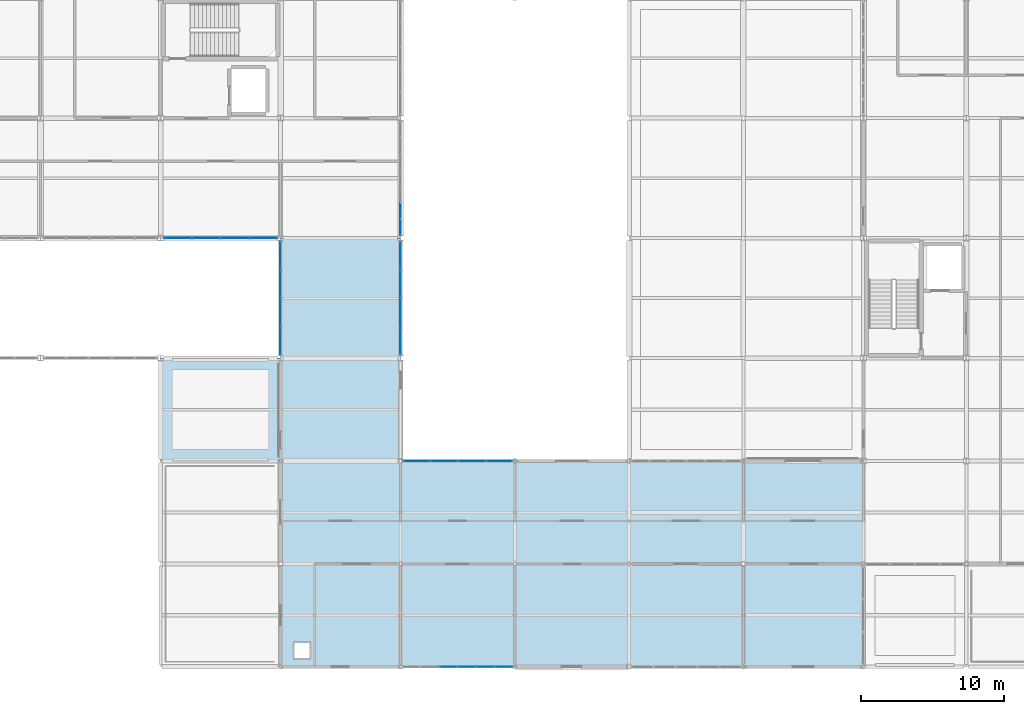
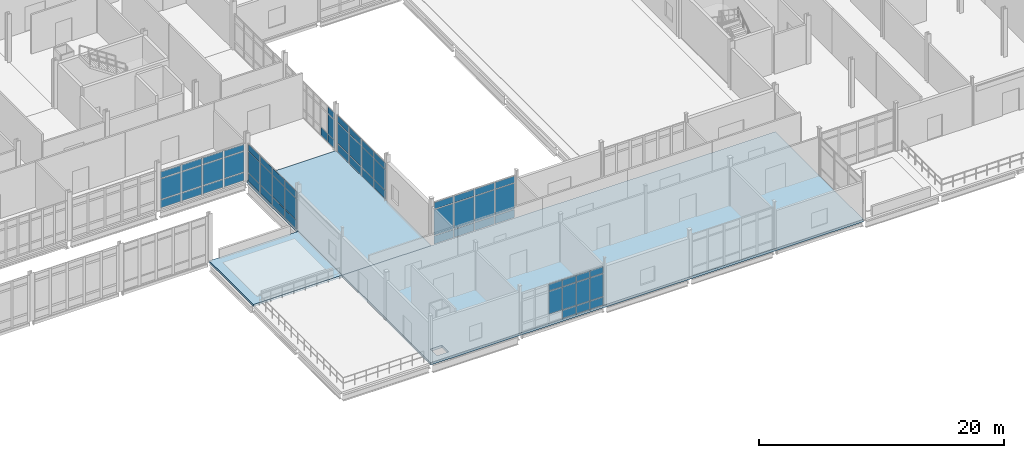
# One storey, part 123 of 186: 63 plates, 3 slabs, 6 elements without a shape of their own.
"""IFC4 building model written with IfcOpenShell, lengths in metres."""

from ifc_helpers import new_model, si_unit, direction, frame, origin, origin_2d, place, context, subcontext, project, spatial, polyline, rectangle, outline, extrude, material, layer, layer_set, type_object, element, aggregate, save


model = new_model("IFC4")

# Units and contexts
model_context = context("Model", 3, precision=1e-05, world=origin(), true_north=direction((0.0, 1.0)))
body_context = subcontext(model_context, "Body", "Model", "MODEL_VIEW")
ifc_project = project(units=[si_unit("LENGTHUNIT", "METRE"), si_unit("AREAUNIT", "SQUARE_METRE"), si_unit("VOLUMEUNIT", "CUBIC_METRE"), si_unit("PLANEANGLEUNIT", "RADIAN"), si_unit("MASSUNIT", "GRAM", prefix="KILO")], contexts=[model_context])

# Site, building, storey
site_placement = place(None, origin())
site = spatial("IfcSite", under=ifc_project, at=site_placement, CompositionType="ELEMENT")
building_placement = place(site_placement, origin())
building = spatial("IfcBuilding", under=site, at=building_placement, Name="Calvrana Isthmian Art Gallery", CompositionType="ELEMENT")
storey_placement = place(building_placement, frame((0.0, 0.0, 5.39990234375)))
storey = spatial("IfcBuildingStorey", under=building, at=storey_placement, Name="L01", CompositionType="ELEMENT", Elevation=5.39990234375)

# Curtain wall, plates
ifc_material_1 = material(Name="Anodized bronze aluminium 6063-T6", Category="aluminium")
ifc_layer_1 = layer(ifc_material_1, 0.179931640625, Name="Anodized bronze aluminium 6063-T6")
ifc_layer_set_1 = layer_set([ifc_layer_1], Name="Anodized bronze aluminium 6063-T6")
curtain_wall_type_1 = type_object("IfcCurtainWallType", Name="CW-UNIT-080X38", PredefinedType="USERDEFINED", material=ifc_layer_set_1)
curtain_wall_1_placement = place(storey_placement, origin())
curtain_wall_1 = element("IfcCurtainWall", 1, at=curtain_wall_1_placement, inside=storey, type_object=curtain_wall_type_1, Name="Curtain wall CW-130", ObjectType="UNITISED CURTAIN WALL", PredefinedType="USERDEFINED")
ifc_material_2 = material(Name="Polychrome glazed terracotta", Category="masonry")
ifc_layer_2 = layer(ifc_material_2, 0.033935546875, Name="Polychrome glazed terracotta")
ifc_layer_set_2 = layer_set([ifc_layer_2], Name="Polychrome glazed terracotta")
plate_type_1 = type_object("IfcPlateType", Name="CWP-SPANDREL-34", PredefinedType="CURTAIN_PANEL", material=ifc_layer_set_2)
plate_1_placement = place(storey_placement, frame((72.0, 22.808349609375, 0.06005859375), z_axis=(0.0, 0.0, 1.0), x_axis=(0.0, 1.0, 0.0)))
plate_1 = element("IfcPlate", 2, at=plate_1_placement, type_object=plate_type_1, Name="CW-130 panel 1.1", PredefinedType="CURTAIN_PANEL", context=body_context, shape_type="SweptSolid", body=[
    extrude(rectangle(XDim=1.893798828125, YDim=0.033935546875, at=origin_2d()), origin(), (0.0, 0.0, 1.0), 0.81005859375),
])
plate_2_placement = place(storey_placement, frame((72.0, 22.808349609375, 0.93017578125), z_axis=(0.0, 0.0, 1.0), x_axis=(0.0, 1.0, 0.0)))
plate_2 = element("IfcPlate", 3, at=plate_2_placement, type_object=plate_type_1, Name="CW-130 panel 1.2", PredefinedType="CURTAIN_PANEL", context=body_context, shape_type="SweptSolid", body=[
    extrude(rectangle(XDim=1.893798828125, YDim=0.033935546875, at=origin_2d()), origin(), (0.0, 0.0, 1.0), 2.116943359375),
])
plate_3_placement = place(storey_placement, frame((72.0, 22.808349609375, 3.10693359375), z_axis=(0.0, 0.0, 1.0), x_axis=(0.0, 1.0, 0.0)))
plate_3 = element("IfcPlate", 4, at=plate_3_placement, type_object=plate_type_1, Name="CW-130 panel 1.3", PredefinedType="CURTAIN_PANEL", context=body_context, shape_type="SweptSolid", body=[
    extrude(rectangle(XDim=1.893798828125, YDim=0.033935546875, at=origin_2d()), origin(), (0.0, 0.0, 1.0), 0.659912109375),
])
plate_4_placement = place(storey_placement, frame((72.0, 24.796142578125, 0.06005859375), z_axis=(0.0, 0.0, 1.0), x_axis=(0.0, 1.0, 0.0)))
plate_4 = element("IfcPlate", 5, at=plate_4_placement, type_object=plate_type_1, Name="CW-130 panel 2.1", PredefinedType="CURTAIN_PANEL", context=body_context, shape_type="SweptSolid", body=[
    extrude(rectangle(XDim=1.931396484375, YDim=0.033935546875, at=origin_2d()), origin(), (0.0, 0.0, 1.0), 0.81005859375),
])
plate_5_placement = place(storey_placement, frame((72.0, 24.796142578125, 0.93017578125), z_axis=(0.0, 0.0, 1.0), x_axis=(0.0, 1.0, 0.0)))
plate_5 = element("IfcPlate", 6, at=plate_5_placement, type_object=plate_type_1, Name="CW-130 panel 2.2", PredefinedType="CURTAIN_PANEL", context=body_context, shape_type="SweptSolid", body=[
    extrude(rectangle(XDim=1.931396484375, YDim=0.033935546875, at=origin_2d()), origin(), (0.0, 0.0, 1.0), 2.116943359375),
])
plate_6_placement = place(storey_placement, frame((72.0, 24.796142578125, 3.10693359375), z_axis=(0.0, 0.0, 1.0), x_axis=(0.0, 1.0, 0.0)))
plate_6 = element("IfcPlate", 7, at=plate_6_placement, type_object=plate_type_1, Name="CW-130 panel 2.3", PredefinedType="CURTAIN_PANEL", context=body_context, shape_type="SweptSolid", body=[
    extrude(rectangle(XDim=1.931396484375, YDim=0.033935546875, at=origin_2d()), origin(), (0.0, 0.0, 1.0), 0.659912109375),
])
plate_7_placement = place(storey_placement, frame((72.0, 26.802490234375, 0.06005859375), z_axis=(0.0, 0.0, 1.0), x_axis=(0.0, 1.0, 0.0)))
plate_7 = element("IfcPlate", 8, at=plate_7_placement, type_object=plate_type_1, Name="CW-130 panel 3.1", PredefinedType="CURTAIN_PANEL", context=body_context, shape_type="SweptSolid", body=[
    extrude(rectangle(XDim=1.931396484375, YDim=0.033935546875, at=origin_2d()), origin(), (0.0, 0.0, 1.0), 0.81005859375),
])
plate_8_placement = place(storey_placement, frame((72.0, 26.802490234375, 0.93017578125), z_axis=(0.0, 0.0, 1.0), x_axis=(0.0, 1.0, 0.0)))
plate_8 = element("IfcPlate", 9, at=plate_8_placement, type_object=plate_type_1, Name="CW-130 panel 3.2", PredefinedType="CURTAIN_PANEL", context=body_context, shape_type="SweptSolid", body=[
    extrude(rectangle(XDim=1.931396484375, YDim=0.033935546875, at=origin_2d()), origin(), (0.0, 0.0, 1.0), 2.116943359375),
])
plate_9_placement = place(storey_placement, frame((72.0, 26.802490234375, 3.10693359375), z_axis=(0.0, 0.0, 1.0), x_axis=(0.0, 1.0, 0.0)))
plate_9 = element("IfcPlate", 10, at=plate_9_placement, type_object=plate_type_1, Name="CW-130 panel 3.3", PredefinedType="CURTAIN_PANEL", context=body_context, shape_type="SweptSolid", body=[
    extrude(rectangle(XDim=1.931396484375, YDim=0.033935546875, at=origin_2d()), origin(), (0.0, 0.0, 1.0), 0.659912109375),
])
plate_10_placement = place(storey_placement, frame((72.0, 28.7900390625, 0.06005859375), z_axis=(0.0, 0.0, 1.0), x_axis=(0.0, 1.0, 0.0)))
plate_10 = element("IfcPlate", 11, at=plate_10_placement, type_object=plate_type_1, Name="CW-130 panel 4.1", PredefinedType="CURTAIN_PANEL", context=body_context, shape_type="SweptSolid", body=[
    extrude(rectangle(XDim=1.893798828125, YDim=0.033935546875, at=origin_2d()), origin(), (0.0, 0.0, 1.0), 0.81005859375),
])
plate_11_placement = place(storey_placement, frame((72.0, 28.7900390625, 0.93017578125), z_axis=(0.0, 0.0, 1.0), x_axis=(0.0, 1.0, 0.0)))
plate_11 = element("IfcPlate", 12, at=plate_11_placement, type_object=plate_type_1, Name="CW-130 panel 4.2", PredefinedType="CURTAIN_PANEL", context=body_context, shape_type="SweptSolid", body=[
    extrude(rectangle(XDim=1.893798828125, YDim=0.033935546875, at=origin_2d()), origin(), (0.0, 0.0, 1.0), 2.116943359375),
])
plate_12_placement = place(storey_placement, frame((72.0, 28.7900390625, 3.10693359375), z_axis=(0.0, 0.0, 1.0), x_axis=(0.0, 1.0, 0.0)))
plate_12 = element("IfcPlate", 13, at=plate_12_placement, type_object=plate_type_1, Name="CW-130 panel 4.3", PredefinedType="CURTAIN_PANEL", context=body_context, shape_type="SweptSolid", body=[
    extrude(rectangle(XDim=1.893798828125, YDim=0.033935546875, at=origin_2d()), origin(), (0.0, 0.0, 1.0), 0.659912109375),
])
aggregate(curtain_wall_1, [plate_1, plate_2, plate_3, plate_4, plate_5, plate_6, plate_7, plate_8, plate_9, plate_10, plate_11, plate_12])

ifc_layer_3 = layer(ifc_material_1, 0.179931640625, Name="Anodized bronze aluminium 6063-T6")
ifc_layer_set_3 = layer_set([ifc_layer_3], Name="Anodized bronze aluminium 6063-T6")
curtain_wall_type_2 = type_object("IfcCurtainWallType", Name="CW-UNIT-078X40", PredefinedType="USERDEFINED", material=ifc_layer_set_3)
curtain_wall_2_placement = place(storey_placement, origin())
curtain_wall_2 = element("IfcCurtainWall", 14, at=curtain_wall_2_placement, inside=storey, type_object=curtain_wall_type_2, Name="Curtain wall CW-084", ObjectType="UNITISED CURTAIN WALL", PredefinedType="USERDEFINED")
ifc_material_3 = material(Name="Low-E laminated solar glass", Category="glass")
ifc_layer_4 = layer(ifc_material_3, 0.028076171875, Name="Low-E laminated solar glass")
ifc_layer_set_4 = layer_set([ifc_layer_4], Name="Low-E laminated solar glass")
plate_type_2 = type_object("IfcPlateType", Name="CWP-VISION-28", PredefinedType="CURTAIN_PANEL", material=ifc_layer_set_4)
plate_13_placement = place(storey_placement, frame((87.6357421875, 0.0, 0.074951171875), z_axis=(0.0, 0.0, 1.0), x_axis=(-1.0, 0.0, 0.0)))
plate_13 = element("IfcPlate", 15, at=plate_13_placement, type_object=plate_type_2, Name="CW-084 panel 1.1", PredefinedType="CURTAIN_PANEL", context=body_context, shape_type="SweptSolid", body=[
    extrude(rectangle(XDim=1.205322265625, YDim=0.028076171875, at=origin_2d()), origin(), (0.0, 0.0, 1.0), 0.78759765625),
])
plate_14_placement = place(storey_placement, frame((87.6357421875, 0.0, 0.9375), z_axis=(0.0, 0.0, 1.0), x_axis=(-1.0, 0.0, 0.0)))
plate_14 = element("IfcPlate", 16, at=plate_14_placement, type_object=plate_type_2, Name="CW-084 panel 1.2", PredefinedType="CURTAIN_PANEL", context=body_context, shape_type="SweptSolid", body=[
    extrude(rectangle(XDim=1.205322265625, YDim=0.028076171875, at=origin_2d()), origin(), (0.0, 0.0, 1.0), 2.24609375),
])
plate_15_placement = place(storey_placement, frame((87.6357421875, 0.0, 3.2587890625), z_axis=(0.0, 0.0, 1.0), x_axis=(-1.0, 0.0, 0.0)))
plate_15 = element("IfcPlate", 17, at=plate_15_placement, type_object=plate_type_2, Name="CW-084 panel 1.3", PredefinedType="CURTAIN_PANEL", context=body_context, shape_type="SweptSolid", body=[
    extrude(rectangle(XDim=1.205322265625, YDim=0.028076171875, at=origin_2d()), origin(), (0.0, 0.0, 1.0), 0.637451171875),
])
plate_16_placement = place(storey_placement, frame((86.35546875, 0.0, 0.074951171875), z_axis=(0.0, 0.0, 1.0), x_axis=(-1.0, 0.0, 0.0)))
plate_16 = element("IfcPlate", 18, at=plate_16_placement, type_object=plate_type_2, Name="CW-084 panel 2.1", PredefinedType="CURTAIN_PANEL", context=body_context, shape_type="SweptSolid", body=[
    extrude(rectangle(XDim=1.2353515625, YDim=0.028076171875, at=origin_2d()), origin(), (0.0, 0.0, 1.0), 0.78759765625),
])
plate_17_placement = place(storey_placement, frame((86.35546875, 0.0, 0.9375), z_axis=(0.0, 0.0, 1.0), x_axis=(-1.0, 0.0, 0.0)))
plate_17 = element("IfcPlate", 19, at=plate_17_placement, type_object=plate_type_2, Name="CW-084 panel 2.2", PredefinedType="CURTAIN_PANEL", context=body_context, shape_type="SweptSolid", body=[
    extrude(rectangle(XDim=1.2353515625, YDim=0.028076171875, at=origin_2d()), origin(), (0.0, 0.0, 1.0), 2.24609375),
])
plate_18_placement = place(storey_placement, frame((86.35546875, 0.0, 3.2587890625), z_axis=(0.0, 0.0, 1.0), x_axis=(-1.0, 0.0, 0.0)))
plate_18 = element("IfcPlate", 20, at=plate_18_placement, type_object=plate_type_2, Name="CW-084 panel 2.3", PredefinedType="CURTAIN_PANEL", context=body_context, shape_type="SweptSolid", body=[
    extrude(rectangle(XDim=1.2353515625, YDim=0.028076171875, at=origin_2d()), origin(), (0.0, 0.0, 1.0), 0.637451171875),
])
plate_19_placement = place(storey_placement, frame((85.060302734375, 0.0, 0.074951171875), z_axis=(0.0, 0.0, 1.0), x_axis=(-1.0, 0.0, 0.0)))
plate_19 = element("IfcPlate", 21, at=plate_19_placement, type_object=plate_type_2, Name="CW-084 panel 3.1", PredefinedType="CURTAIN_PANEL", context=body_context, shape_type="SweptSolid", body=[
    extrude(rectangle(XDim=1.2353515625, YDim=0.028076171875, at=origin_2d()), origin(), (0.0, 0.0, 1.0), 0.78759765625),
])
plate_20_placement = place(storey_placement, frame((85.060302734375, 0.0, 0.9375), z_axis=(0.0, 0.0, 1.0), x_axis=(-1.0, 0.0, 0.0)))
plate_20 = element("IfcPlate", 22, at=plate_20_placement, type_object=plate_type_2, Name="CW-084 panel 3.2", PredefinedType="CURTAIN_PANEL", context=body_context, shape_type="SweptSolid", body=[
    extrude(rectangle(XDim=1.2353515625, YDim=0.028076171875, at=origin_2d()), origin(), (0.0, 0.0, 1.0), 2.24609375),
])
plate_21_placement = place(storey_placement, frame((85.060302734375, 0.0, 3.2587890625), z_axis=(0.0, 0.0, 1.0), x_axis=(-1.0, 0.0, 0.0)))
plate_21 = element("IfcPlate", 23, at=plate_21_placement, type_object=plate_type_2, Name="CW-084 panel 3.3", PredefinedType="CURTAIN_PANEL", context=body_context, shape_type="SweptSolid", body=[
    extrude(rectangle(XDim=1.2353515625, YDim=0.028076171875, at=origin_2d()), origin(), (0.0, 0.0, 1.0), 0.637451171875),
])
plate_22_placement = place(storey_placement, frame((83.76513671875, 0.0, 0.9375), z_axis=(0.0, 0.0, 1.0), x_axis=(-1.0, 0.0, 0.0)))
plate_22 = element("IfcPlate", 24, at=plate_22_placement, type_object=plate_type_2, Name="CW-084 panel 4.2", PredefinedType="CURTAIN_PANEL", context=body_context, shape_type="SweptSolid", body=[
    extrude(rectangle(XDim=1.2353515625, YDim=0.028076171875, at=origin_2d()), origin(), (0.0, 0.0, 1.0), 2.24609375),
])
plate_23_placement = place(storey_placement, frame((83.76513671875, 0.0, 3.2587890625), z_axis=(0.0, 0.0, 1.0), x_axis=(-1.0, 0.0, 0.0)))
plate_23 = element("IfcPlate", 25, at=plate_23_placement, type_object=plate_type_2, Name="CW-084 panel 4.3", PredefinedType="CURTAIN_PANEL", context=body_context, shape_type="SweptSolid", body=[
    extrude(rectangle(XDim=1.2353515625, YDim=0.028076171875, at=origin_2d()), origin(), (0.0, 0.0, 1.0), 0.637451171875),
])
aggregate(curtain_wall_2, [plate_13, plate_14, plate_15, plate_16, plate_17, plate_18, plate_19, plate_20, plate_21, plate_22, plate_23])

ifc_layer_5 = layer(ifc_material_1, 0.179931640625, Name="Anodized bronze aluminium 6063-T6")
ifc_layer_set_5 = layer_set([ifc_layer_5], Name="Anodized bronze aluminium 6063-T6")
curtain_wall_type_3 = type_object("IfcCurtainWallType", Name="CW-UNIT-077X43", PredefinedType="USERDEFINED", material=ifc_layer_set_5)
curtain_wall_3_placement = place(storey_placement, origin())
curtain_wall_3 = element("IfcCurtainWall", 26, at=curtain_wall_3_placement, inside=storey, type_object=curtain_wall_type_3, Name="Curtain wall CW-087", ObjectType="UNITISED CURTAIN WALL", PredefinedType="USERDEFINED")
plate_24_placement = place(storey_placement, frame((81.5380859375, 14.39990234375, 0.06494140625), z_axis=(0.0, 0.0, 1.0), x_axis=(1.0, 0.0, 0.0)))
plate_24 = element("IfcPlate", 27, at=plate_24_placement, type_object=plate_type_2, Name="CW-087 panel 1.1", PredefinedType="CURTAIN_PANEL", context=body_context, shape_type="SweptSolid", body=[
    extrude(rectangle(XDim=1.83154296875, YDim=0.028076171875, at=origin_2d()), origin(), (0.0, 0.0, 1.0), 0.802490234375),
])
plate_25_placement = place(storey_placement, frame((81.5380859375, 14.39990234375, 0.9326171875), z_axis=(0.0, 0.0, 1.0), x_axis=(1.0, 0.0, 0.0)))
plate_25 = element("IfcPlate", 28, at=plate_25_placement, type_object=plate_type_2, Name="CW-087 panel 1.2", PredefinedType="CURTAIN_PANEL", context=body_context, shape_type="SweptSolid", body=[
    extrude(rectangle(XDim=1.83154296875, YDim=0.028076171875, at=origin_2d()), origin(), (0.0, 0.0, 1.0), 2.551025390625),
])
plate_26_placement = place(storey_placement, frame((81.5380859375, 14.39990234375, 3.54833984375), z_axis=(0.0, 0.0, 1.0), x_axis=(1.0, 0.0, 0.0)))
plate_26 = element("IfcPlate", 29, at=plate_26_placement, type_object=plate_type_2, Name="CW-087 panel 1.3", PredefinedType="CURTAIN_PANEL", context=body_context, shape_type="SweptSolid", body=[
    extrude(rectangle(XDim=1.83154296875, YDim=0.028076171875, at=origin_2d()), origin(), (0.0, 0.0, 1.0), 0.652587890625),
])
plate_27_placement = place(storey_placement, frame((83.45703125, 14.39990234375, 0.06494140625), z_axis=(0.0, 0.0, 1.0), x_axis=(1.0, 0.0, 0.0)))
plate_27 = element("IfcPlate", 30, at=plate_27_placement, type_object=plate_type_2, Name="CW-087 panel 2.1", PredefinedType="CURTAIN_PANEL", context=body_context, shape_type="SweptSolid", body=[
    extrude(rectangle(XDim=1.866455078125, YDim=0.028076171875, at=origin_2d()), origin(), (0.0, 0.0, 1.0), 0.802490234375),
])
plate_28_placement = place(storey_placement, frame((83.45703125, 14.39990234375, 0.9326171875), z_axis=(0.0, 0.0, 1.0), x_axis=(1.0, 0.0, 0.0)))
plate_28 = element("IfcPlate", 31, at=plate_28_placement, type_object=plate_type_2, Name="CW-087 panel 2.2", PredefinedType="CURTAIN_PANEL", context=body_context, shape_type="SweptSolid", body=[
    extrude(rectangle(XDim=1.866455078125, YDim=0.028076171875, at=origin_2d()), origin(), (0.0, 0.0, 1.0), 2.551025390625),
])
plate_29_placement = place(storey_placement, frame((83.45703125, 14.39990234375, 3.54833984375), z_axis=(0.0, 0.0, 1.0), x_axis=(1.0, 0.0, 0.0)))
plate_29 = element("IfcPlate", 32, at=plate_29_placement, type_object=plate_type_2, Name="CW-087 panel 2.3", PredefinedType="CURTAIN_PANEL", context=body_context, shape_type="SweptSolid", body=[
    extrude(rectangle(XDim=1.866455078125, YDim=0.028076171875, at=origin_2d()), origin(), (0.0, 0.0, 1.0), 0.652587890625),
])
plate_30_placement = place(storey_placement, frame((85.3935546875, 14.39990234375, 0.06494140625), z_axis=(0.0, 0.0, 1.0), x_axis=(1.0, 0.0, 0.0)))
plate_30 = element("IfcPlate", 33, at=plate_30_placement, type_object=plate_type_2, Name="CW-087 panel 3.1", PredefinedType="CURTAIN_PANEL", context=body_context, shape_type="SweptSolid", body=[
    extrude(rectangle(XDim=1.866455078125, YDim=0.028076171875, at=origin_2d()), origin(), (0.0, 0.0, 1.0), 0.802490234375),
])
plate_31_placement = place(storey_placement, frame((85.3935546875, 14.39990234375, 0.9326171875), z_axis=(0.0, 0.0, 1.0), x_axis=(1.0, 0.0, 0.0)))
plate_31 = element("IfcPlate", 34, at=plate_31_placement, type_object=plate_type_2, Name="CW-087 panel 3.2", PredefinedType="CURTAIN_PANEL", context=body_context, shape_type="SweptSolid", body=[
    extrude(rectangle(XDim=1.866455078125, YDim=0.028076171875, at=origin_2d()), origin(), (0.0, 0.0, 1.0), 2.551025390625),
])
plate_32_placement = place(storey_placement, frame((85.3935546875, 14.39990234375, 3.54833984375), z_axis=(0.0, 0.0, 1.0), x_axis=(1.0, 0.0, 0.0)))
plate_32 = element("IfcPlate", 35, at=plate_32_placement, type_object=plate_type_2, Name="CW-087 panel 3.3", PredefinedType="CURTAIN_PANEL", context=body_context, shape_type="SweptSolid", body=[
    extrude(rectangle(XDim=1.866455078125, YDim=0.028076171875, at=origin_2d()), origin(), (0.0, 0.0, 1.0), 0.652587890625),
])
plate_33_placement = place(storey_placement, frame((87.312744140625, 14.39990234375, 0.06494140625), z_axis=(0.0, 0.0, 1.0), x_axis=(1.0, 0.0, 0.0)))
plate_33 = element("IfcPlate", 36, at=plate_33_placement, type_object=plate_type_2, Name="CW-087 panel 4.1", PredefinedType="CURTAIN_PANEL", context=body_context, shape_type="SweptSolid", body=[
    extrude(rectangle(XDim=1.83154296875, YDim=0.028076171875, at=origin_2d()), origin(), (0.0, 0.0, 1.0), 0.802490234375),
])
plate_34_placement = place(storey_placement, frame((87.312744140625, 14.39990234375, 0.9326171875), z_axis=(0.0, 0.0, 1.0), x_axis=(1.0, 0.0, 0.0)))
plate_34 = element("IfcPlate", 37, at=plate_34_placement, type_object=plate_type_2, Name="CW-087 panel 4.2", PredefinedType="CURTAIN_PANEL", context=body_context, shape_type="SweptSolid", body=[
    extrude(rectangle(XDim=1.83154296875, YDim=0.028076171875, at=origin_2d()), origin(), (0.0, 0.0, 1.0), 2.551025390625),
])
plate_35_placement = place(storey_placement, frame((87.312744140625, 14.39990234375, 3.54833984375), z_axis=(0.0, 0.0, 1.0), x_axis=(1.0, 0.0, 0.0)))
plate_35 = element("IfcPlate", 38, at=plate_35_placement, type_object=plate_type_2, Name="CW-087 panel 4.3", PredefinedType="CURTAIN_PANEL", context=body_context, shape_type="SweptSolid", body=[
    extrude(rectangle(XDim=1.83154296875, YDim=0.028076171875, at=origin_2d()), origin(), (0.0, 0.0, 1.0), 0.652587890625),
])
aggregate(curtain_wall_3, [plate_24, plate_25, plate_26, plate_27, plate_28, plate_29, plate_30, plate_31, plate_32, plate_33, plate_34, plate_35])

curtain_wall_4_placement = place(storey_placement, origin())
curtain_wall_4 = element("IfcCurtainWall", 39, at=curtain_wall_4_placement, inside=storey, type_object=curtain_wall_type_1, Name="Curtain wall CW-094", ObjectType="UNITISED CURTAIN WALL", PredefinedType="USERDEFINED")
plate_36_placement = place(storey_placement, frame((70.78369140625, 30.0, 0.074951171875), z_axis=(0.0, 0.0, 1.0), x_axis=(-1.0, 0.0, 0.0)))
plate_36 = element("IfcPlate", 40, at=plate_36_placement, type_object=plate_type_2, Name="CW-094 panel 1.1", PredefinedType="CURTAIN_PANEL", context=body_context, shape_type="SweptSolid", body=[
    extrude(rectangle(XDim=1.888671875, YDim=0.028076171875, at=origin_2d()), origin(), (0.0, 0.0, 1.0), 0.78759765625),
])
plate_37_placement = place(storey_placement, frame((70.78369140625, 30.0, 0.9375), z_axis=(0.0, 0.0, 1.0), x_axis=(-1.0, 0.0, 0.0)))
plate_37 = element("IfcPlate", 41, at=plate_37_placement, type_object=plate_type_2, Name="CW-094 panel 1.2", PredefinedType="CURTAIN_PANEL", context=body_context, shape_type="SweptSolid", body=[
    extrude(rectangle(XDim=1.888671875, YDim=0.028076171875, at=origin_2d()), origin(), (0.0, 0.0, 1.0), 2.032958984375),
])
plate_38_placement = place(storey_placement, frame((70.78369140625, 30.0, 3.04541015625), z_axis=(0.0, 0.0, 1.0), x_axis=(-1.0, 0.0, 0.0)))
plate_38 = element("IfcPlate", 42, at=plate_38_placement, type_object=plate_type_2, Name="CW-094 panel 1.3", PredefinedType="CURTAIN_PANEL", context=body_context, shape_type="SweptSolid", body=[
    extrude(rectangle(XDim=1.888671875, YDim=0.028076171875, at=origin_2d()), origin(), (0.0, 0.0, 1.0), 0.637451171875),
])
plate_39_placement = place(storey_placement, frame((68.801025390625, 30.0, 0.074951171875), z_axis=(0.0, 0.0, 1.0), x_axis=(-1.0, 0.0, 0.0)))
plate_39 = element("IfcPlate", 43, at=plate_39_placement, type_object=plate_type_2, Name="CW-094 panel 2.1", PredefinedType="CURTAIN_PANEL", context=body_context, shape_type="SweptSolid", body=[
    extrude(rectangle(XDim=1.92626953125, YDim=0.028076171875, at=origin_2d()), origin(), (0.0, 0.0, 1.0), 0.78759765625),
])
plate_40_placement = place(storey_placement, frame((68.801025390625, 30.0, 0.9375), z_axis=(0.0, 0.0, 1.0), x_axis=(-1.0, 0.0, 0.0)))
plate_40 = element("IfcPlate", 44, at=plate_40_placement, type_object=plate_type_2, Name="CW-094 panel 2.2", PredefinedType="CURTAIN_PANEL", context=body_context, shape_type="SweptSolid", body=[
    extrude(rectangle(XDim=1.92626953125, YDim=0.028076171875, at=origin_2d()), origin(), (0.0, 0.0, 1.0), 2.032958984375),
])
plate_41_placement = place(storey_placement, frame((68.801025390625, 30.0, 3.04541015625), z_axis=(0.0, 0.0, 1.0), x_axis=(-1.0, 0.0, 0.0)))
plate_41 = element("IfcPlate", 45, at=plate_41_placement, type_object=plate_type_2, Name="CW-094 panel 2.3", PredefinedType="CURTAIN_PANEL", context=body_context, shape_type="SweptSolid", body=[
    extrude(rectangle(XDim=1.92626953125, YDim=0.028076171875, at=origin_2d()), origin(), (0.0, 0.0, 1.0), 0.637451171875),
])
plate_42_placement = place(storey_placement, frame((66.7998046875, 30.0, 0.074951171875), z_axis=(0.0, 0.0, 1.0), x_axis=(-1.0, 0.0, 0.0)))
plate_42 = element("IfcPlate", 46, at=plate_42_placement, type_object=plate_type_2, Name="CW-094 panel 3.1", PredefinedType="CURTAIN_PANEL", context=body_context, shape_type="SweptSolid", body=[
    extrude(rectangle(XDim=1.92626953125, YDim=0.028076171875, at=origin_2d()), origin(), (0.0, 0.0, 1.0), 0.78759765625),
])
plate_43_placement = place(storey_placement, frame((66.7998046875, 30.0, 0.9375), z_axis=(0.0, 0.0, 1.0), x_axis=(-1.0, 0.0, 0.0)))
plate_43 = element("IfcPlate", 47, at=plate_43_placement, type_object=plate_type_2, Name="CW-094 panel 3.2", PredefinedType="CURTAIN_PANEL", context=body_context, shape_type="SweptSolid", body=[
    extrude(rectangle(XDim=1.92626953125, YDim=0.028076171875, at=origin_2d()), origin(), (0.0, 0.0, 1.0), 2.032958984375),
])
plate_44_placement = place(storey_placement, frame((66.7998046875, 30.0, 3.04541015625), z_axis=(0.0, 0.0, 1.0), x_axis=(-1.0, 0.0, 0.0)))
plate_44 = element("IfcPlate", 48, at=plate_44_placement, type_object=plate_type_2, Name="CW-094 panel 3.3", PredefinedType="CURTAIN_PANEL", context=body_context, shape_type="SweptSolid", body=[
    extrude(rectangle(XDim=1.92626953125, YDim=0.028076171875, at=origin_2d()), origin(), (0.0, 0.0, 1.0), 0.637451171875),
])
plate_45_placement = place(storey_placement, frame((64.8173828125, 30.0, 0.074951171875), z_axis=(0.0, 0.0, 1.0), x_axis=(-1.0, 0.0, 0.0)))
plate_45 = element("IfcPlate", 49, at=plate_45_placement, type_object=plate_type_2, Name="CW-094 panel 4.1", PredefinedType="CURTAIN_PANEL", context=body_context, shape_type="SweptSolid", body=[
    extrude(rectangle(XDim=1.888671875, YDim=0.028076171875, at=origin_2d()), origin(), (0.0, 0.0, 1.0), 0.78759765625),
])
plate_46_placement = place(storey_placement, frame((64.8173828125, 30.0, 0.9375), z_axis=(0.0, 0.0, 1.0), x_axis=(-1.0, 0.0, 0.0)))
plate_46 = element("IfcPlate", 50, at=plate_46_placement, type_object=plate_type_2, Name="CW-094 panel 4.2", PredefinedType="CURTAIN_PANEL", context=body_context, shape_type="SweptSolid", body=[
    extrude(rectangle(XDim=1.888671875, YDim=0.028076171875, at=origin_2d()), origin(), (0.0, 0.0, 1.0), 2.032958984375),
])
plate_47_placement = place(storey_placement, frame((64.8173828125, 30.0, 3.04541015625), z_axis=(0.0, 0.0, 1.0), x_axis=(-1.0, 0.0, 0.0)))
plate_47 = element("IfcPlate", 51, at=plate_47_placement, type_object=plate_type_2, Name="CW-094 panel 4.3", PredefinedType="CURTAIN_PANEL", context=body_context, shape_type="SweptSolid", body=[
    extrude(rectangle(XDim=1.888671875, YDim=0.028076171875, at=origin_2d()), origin(), (0.0, 0.0, 1.0), 0.637451171875),
])
aggregate(curtain_wall_4, [plate_36, plate_37, plate_38, plate_39, plate_40, plate_41, plate_42, plate_43, plate_44, plate_45, plate_46, plate_47])

ifc_layer_6 = layer(ifc_material_1, 0.179931640625, Name="Anodized bronze aluminium 6063-T6")
ifc_layer_set_6 = layer_set([ifc_layer_6], Name="Anodized bronze aluminium 6063-T6")
curtain_wall_type_4 = type_object("IfcCurtainWallType", Name="CW-STICK-080X37", PredefinedType="NOTDEFINED", material=ifc_layer_set_6)
curtain_wall_5_placement = place(storey_placement, origin())
curtain_wall_5 = element("IfcCurtainWall", 52, at=curtain_wall_5_placement, inside=storey, type_object=curtain_wall_type_4, Name="Curtain wall CW-131", PredefinedType="NOTDEFINED")
plate_48_placement = place(storey_placement, frame((80.39990234375, 28.791015625, 0.06005859375), z_axis=(0.0, 0.0, 1.0), x_axis=(0.0, -1.0, 0.0)))
plate_48 = element("IfcPlate", 53, at=plate_48_placement, type_object=plate_type_2, Name="CW-131 panel 1.1", PredefinedType="CURTAIN_PANEL", context=body_context, shape_type="SweptSolid", body=[
    extrude(rectangle(XDim=1.885009765625, YDim=0.028076171875, at=origin_2d()), origin(), (0.0, 0.0, 1.0), 0.81005859375),
])
plate_49_placement = place(storey_placement, frame((80.39990234375, 28.791015625, 0.93017578125), z_axis=(0.0, 0.0, 1.0), x_axis=(0.0, -1.0, 0.0)))
plate_49 = element("IfcPlate", 54, at=plate_49_placement, type_object=plate_type_2, Name="CW-131 panel 1.2", PredefinedType="CURTAIN_PANEL", context=body_context, shape_type="SweptSolid", body=[
    extrude(rectangle(XDim=1.885009765625, YDim=0.028076171875, at=origin_2d()), origin(), (0.0, 0.0, 1.0), 2.0380859375),
])
plate_50_placement = place(storey_placement, frame((80.39990234375, 28.791015625, 3.0283203125), z_axis=(0.0, 0.0, 1.0), x_axis=(0.0, -1.0, 0.0)))
plate_50 = element("IfcPlate", 55, at=plate_50_placement, type_object=plate_type_2, Name="CW-131 panel 1.3", PredefinedType="CURTAIN_PANEL", context=body_context, shape_type="SweptSolid", body=[
    extrude(rectangle(XDim=1.885009765625, YDim=0.028076171875, at=origin_2d()), origin(), (0.0, 0.0, 1.0), 0.659912109375),
])
plate_51_placement = place(storey_placement, frame((80.39990234375, 26.805908203125, 0.06005859375), z_axis=(0.0, 0.0, 1.0), x_axis=(0.0, -1.0, 0.0)))
plate_51 = element("IfcPlate", 56, at=plate_51_placement, type_object=plate_type_2, Name="CW-131 panel 2.1", PredefinedType="CURTAIN_PANEL", context=body_context, shape_type="SweptSolid", body=[
    extrude(rectangle(XDim=1.925048828125, YDim=0.028076171875, at=origin_2d()), origin(), (0.0, 0.0, 1.0), 0.81005859375),
])
plate_52_placement = place(storey_placement, frame((80.39990234375, 26.805908203125, 0.93017578125), z_axis=(0.0, 0.0, 1.0), x_axis=(0.0, -1.0, 0.0)))
plate_52 = element("IfcPlate", 57, at=plate_52_placement, type_object=plate_type_2, Name="CW-131 panel 2.2", PredefinedType="CURTAIN_PANEL", context=body_context, shape_type="SweptSolid", body=[
    extrude(rectangle(XDim=1.925048828125, YDim=0.028076171875, at=origin_2d()), origin(), (0.0, 0.0, 1.0), 2.0380859375),
])
plate_53_placement = place(storey_placement, frame((80.39990234375, 26.805908203125, 3.0283203125), z_axis=(0.0, 0.0, 1.0), x_axis=(0.0, -1.0, 0.0)))
plate_53 = element("IfcPlate", 58, at=plate_53_placement, type_object=plate_type_2, Name="CW-131 panel 2.3", PredefinedType="CURTAIN_PANEL", context=body_context, shape_type="SweptSolid", body=[
    extrude(rectangle(XDim=1.925048828125, YDim=0.028076171875, at=origin_2d()), origin(), (0.0, 0.0, 1.0), 0.659912109375),
])
plate_54_placement = place(storey_placement, frame((80.39990234375, 24.80078125, 0.06005859375), z_axis=(0.0, 0.0, 1.0), x_axis=(0.0, -1.0, 0.0)))
plate_54 = element("IfcPlate", 59, at=plate_54_placement, type_object=plate_type_2, Name="CW-131 panel 3.1", PredefinedType="CURTAIN_PANEL", context=body_context, shape_type="SweptSolid", body=[
    extrude(rectangle(XDim=1.925048828125, YDim=0.028076171875, at=origin_2d()), origin(), (0.0, 0.0, 1.0), 0.81005859375),
])
plate_55_placement = place(storey_placement, frame((80.39990234375, 24.80078125, 0.93017578125), z_axis=(0.0, 0.0, 1.0), x_axis=(0.0, -1.0, 0.0)))
plate_55 = element("IfcPlate", 60, at=plate_55_placement, type_object=plate_type_2, Name="CW-131 panel 3.2", PredefinedType="CURTAIN_PANEL", context=body_context, shape_type="SweptSolid", body=[
    extrude(rectangle(XDim=1.925048828125, YDim=0.028076171875, at=origin_2d()), origin(), (0.0, 0.0, 1.0), 2.0380859375),
])
plate_56_placement = place(storey_placement, frame((80.39990234375, 24.80078125, 3.0283203125), z_axis=(0.0, 0.0, 1.0), x_axis=(0.0, -1.0, 0.0)))
plate_56 = element("IfcPlate", 61, at=plate_56_placement, type_object=plate_type_2, Name="CW-131 panel 3.3", PredefinedType="CURTAIN_PANEL", context=body_context, shape_type="SweptSolid", body=[
    extrude(rectangle(XDim=1.925048828125, YDim=0.028076171875, at=origin_2d()), origin(), (0.0, 0.0, 1.0), 0.659912109375),
])
plate_57_placement = place(storey_placement, frame((80.39990234375, 22.815673828125, 0.06005859375), z_axis=(0.0, 0.0, 1.0), x_axis=(0.0, -1.0, 0.0)))
plate_57 = element("IfcPlate", 62, at=plate_57_placement, type_object=plate_type_2, Name="CW-131 panel 4.1", PredefinedType="CURTAIN_PANEL", context=body_context, shape_type="SweptSolid", body=[
    extrude(rectangle(XDim=1.885009765625, YDim=0.028076171875, at=origin_2d()), origin(), (0.0, 0.0, 1.0), 0.81005859375),
])
plate_58_placement = place(storey_placement, frame((80.39990234375, 22.815673828125, 0.93017578125), z_axis=(0.0, 0.0, 1.0), x_axis=(0.0, -1.0, 0.0)))
plate_58 = element("IfcPlate", 63, at=plate_58_placement, type_object=plate_type_2, Name="CW-131 panel 4.2", PredefinedType="CURTAIN_PANEL", context=body_context, shape_type="SweptSolid", body=[
    extrude(rectangle(XDim=1.885009765625, YDim=0.028076171875, at=origin_2d()), origin(), (0.0, 0.0, 1.0), 2.0380859375),
])
plate_59_placement = place(storey_placement, frame((80.39990234375, 22.815673828125, 3.0283203125), z_axis=(0.0, 0.0, 1.0), x_axis=(0.0, -1.0, 0.0)))
plate_59 = element("IfcPlate", 64, at=plate_59_placement, type_object=plate_type_2, Name="CW-131 panel 4.3", PredefinedType="CURTAIN_PANEL", context=body_context, shape_type="SweptSolid", body=[
    extrude(rectangle(XDim=1.885009765625, YDim=0.028076171875, at=origin_2d()), origin(), (0.0, 0.0, 1.0), 0.659912109375),
])
aggregate(curtain_wall_5, [plate_48, plate_49, plate_50, plate_51, plate_52, plate_53, plate_54, plate_55, plate_56, plate_57, plate_58, plate_59])

curtain_wall_6_placement = place(storey_placement, origin())
curtain_wall_6 = element("IfcCurtainWall", 65, at=curtain_wall_6_placement, inside=storey, type_object=curtain_wall_type_4, Name="Curtain wall CW-132", PredefinedType="NOTDEFINED")
plate_60_placement = place(storey_placement, frame((80.39990234375, 31.90625, 0.06494140625), z_axis=(0.0, 0.0, 1.0), x_axis=(0.0, -1.0, 0.0)))
plate_60 = element("IfcPlate", 66, at=plate_60_placement, type_object=plate_type_2, Name="CW-132 panel 6.1", PredefinedType="CURTAIN_PANEL", context=body_context, shape_type="SweptSolid", body=[
    extrude(rectangle(XDim=1.08642578125, YDim=0.028076171875, at=origin_2d()), origin(), (0.0, 0.0, 1.0), 0.802490234375),
])
plate_61_placement = place(storey_placement, frame((80.39990234375, 30.774658203125, 0.06494140625), z_axis=(0.0, 0.0, 1.0), x_axis=(0.0, -1.0, 0.0)))
plate_61 = element("IfcPlate", 67, at=plate_61_placement, type_object=plate_type_2, Name="CW-132 panel 7.1", PredefinedType="CURTAIN_PANEL", context=body_context, shape_type="SweptSolid", body=[
    extrude(rectangle(XDim=1.056396484375, YDim=0.028076171875, at=origin_2d()), origin(), (0.0, 0.0, 1.0), 0.802490234375),
])
plate_62_placement = place(storey_placement, frame((80.39990234375, 30.774658203125, 0.9326171875), z_axis=(0.0, 0.0, 1.0), x_axis=(0.0, -1.0, 0.0)))
plate_62 = element("IfcPlate", 68, at=plate_62_placement, type_object=plate_type_2, Name="CW-132 panel 7.2", PredefinedType="CURTAIN_PANEL", context=body_context, shape_type="SweptSolid", body=[
    extrude(rectangle(XDim=1.056396484375, YDim=0.028076171875, at=origin_2d()), origin(), (0.0, 0.0, 1.0), 1.948974609375),
])
plate_63_placement = place(storey_placement, frame((80.39990234375, 30.774658203125, 2.94677734375), z_axis=(0.0, 0.0, 1.0), x_axis=(0.0, -1.0, 0.0)))
plate_63 = element("IfcPlate", 69, at=plate_63_placement, type_object=plate_type_2, Name="CW-132 panel 7.3", PredefinedType="CURTAIN_PANEL", context=body_context, shape_type="SweptSolid", body=[
    extrude(rectangle(XDim=1.056396484375, YDim=0.028076171875, at=origin_2d()), origin(), (0.0, 0.0, 1.0), 0.652587890625),
])
aggregate(curtain_wall_6, [plate_60, plate_61, plate_62, plate_63])

# Slabs
ifc_material_4 = material(Name="Concrete C40/50", Category="concrete")
ifc_layer_7 = layer(ifc_material_4, 0.239990234375, Name="Concrete C40/50")
ifc_layer_set_7 = layer_set([ifc_layer_7], Name="Concrete C40/50")
slab_type_1 = type_object("IfcSlabType", Name="SLB-FLR-240", PredefinedType="FLOOR", material=ifc_layer_set_7)
slab_1_placement = place(storey_placement, frame((0.0, 0.0, -0.239990234375)))
element("IfcSlab", 70, at=slab_1_placement, inside=storey, type_object=slab_type_1, Name="Floor slab V2S_L01", PredefinedType="FLOOR", context=body_context, shape_type="SweptSolid", body=[
    extrude(outline(polyline([(72.0, 0.0), (112.800048828125, 0.0), (112.800048828125, 14.39990234375), (72.0, 14.39990234375), (72.0, 0.0)]), holes=[polyline([(72.9599609375, 0.60009765625), (74.0400390625, 0.60009765625), (74.0400390625, 1.679931640625), (72.9599609375, 1.679931640625), (72.9599609375, 0.60009765625)])]), origin(), (0.0, 0.0, 1.0), 0.239990234375),
])
slab_2_placement = place(storey_placement, frame((0.0, 0.0, -0.239990234375)))
element("IfcSlab", 71, at=slab_2_placement, inside=storey, type_object=slab_type_1, Name="Floor slab V2W_L01", PredefinedType="FLOOR", context=body_context, shape_type="SweptSolid", body=[
    extrude(outline(polyline([(72.0, 14.39990234375), (80.39990234375, 14.39990234375), (80.39990234375, 30.0), (72.0, 30.0), (72.0, 14.39990234375)])), origin(), (0.0, 0.0, 1.0), 0.239990234375),
])
ifc_layer_8 = layer(ifc_material_4, 0.199951171875, Name="Concrete C40/50")
ifc_layer_set_8 = layer_set([ifc_layer_8], Name="Concrete C40/50")
slab_type_2 = type_object("IfcSlabType", Name="SLB-ROOF-200", PredefinedType="ROOF", material=ifc_layer_set_8)
slab_3_placement = place(storey_placement, frame((0.0, 0.0, -0.199951171875)))
element("IfcSlab", 72, at=slab_3_placement, inside=storey, type_object=slab_type_2, Name="Flat roof slab ROOF_V2C_L01", PredefinedType="ROOF", context=body_context, shape_type="SweptSolid", body=[
    extrude(outline(polyline([(63.60009765625, 14.39990234375), (72.0, 14.39990234375), (72.0, 21.60009765625), (63.60009765625, 21.60009765625), (63.60009765625, 14.39990234375)])), origin(), (0.0, 0.0, 1.0), 0.199951171875),
])

save(model, "model.ifc")
